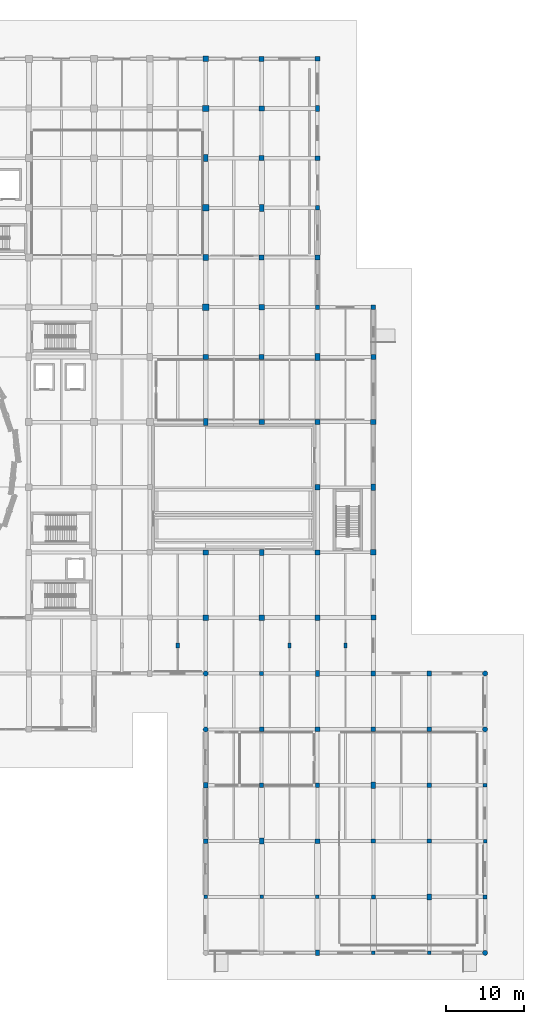
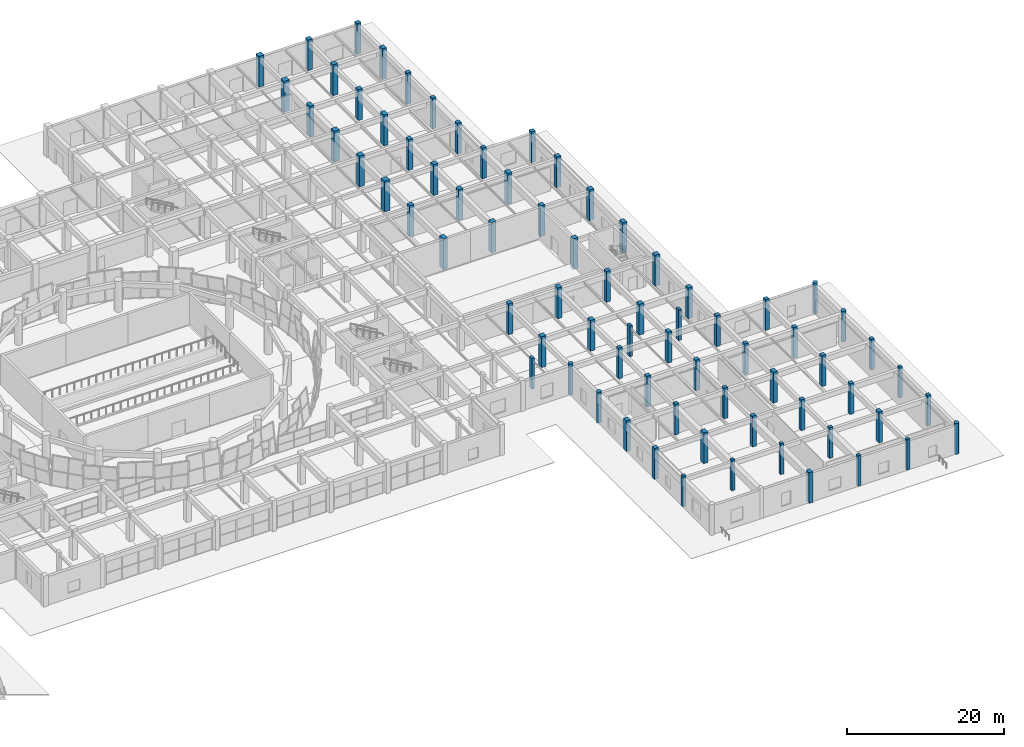
# One storey, part 3 of 72: 74 columns.
"""IFC4 building model written with IfcOpenShell, lengths in metres."""

from ifc_helpers import new_model, si_unit, direction, frame, origin, origin_2d, place, context, subcontext, project, spatial, rectangle, circle, extrude, material, material_profile, profile_set, type_object, element, save


model = new_model("IFC4")

# Units and contexts
model_context = context("Model", 3, precision=1e-05, world=origin(), true_north=direction((0.0, 1.0)))
body_context = subcontext(model_context, "Body", "Model", "MODEL_VIEW")
ifc_project = project(units=[si_unit("LENGTHUNIT", "METRE"), si_unit("AREAUNIT", "SQUARE_METRE"), si_unit("VOLUMEUNIT", "CUBIC_METRE"), si_unit("PLANEANGLEUNIT", "RADIAN"), si_unit("MASSUNIT", "GRAM", prefix="KILO")], contexts=[model_context])

# Site, building, storey
site_placement = place(None, origin())
site = spatial("IfcSite", under=ifc_project, at=site_placement, CompositionType="ELEMENT")
building_placement = place(site_placement, origin())
building = spatial("IfcBuilding", under=site, at=building_placement, Name="Korsvaeld Concert Hall", CompositionType="ELEMENT")
storey_placement = place(building_placement, origin())
storey = spatial("IfcBuildingStorey", under=building, at=storey_placement, Name="L00", CompositionType="ELEMENT", Elevation=0.0)

# Columns
ifc_material = material(Name="Concrete C40/50", Category="concrete")
ifc_material_profile_1 = material_profile(ifc_material, circle(Radius=0.324951171875, at=origin_2d()), Name="RC D650")
ifc_profile_set_1 = profile_set([ifc_material_profile_1], Name="Concrete C40/50")
column_type_1 = type_object("IfcColumnType", Name="COL-COLO-D650", PredefinedType="COLUMN", material=ifc_profile_set_1)
for number, where, z_axis, x_axis, name in (
    (1, (132.0, 28.800048828125, 0.0), (0.0, 0.0, 1.0), (1.0, 0.0, 0.0), "Column 18/E L00"),
    (2, (132.0, 36.0, 0.0), (0.0, 0.0, 1.0), (1.0, 0.0, 0.0), "Column 18/F L00"),
    (3, (168.0, 0.0, 0.0), (0.0, 0.0, 1.0), (1.0, 0.0, 0.0), "Column 23/A L00"),
    (4, (168.0, 28.800048828125, 0.0), (0.0, 0.0, 1.0), (1.0, 0.0, 0.0), "Column 23/E L00"),
    (5, (168.0, 36.0, 0.0), (0.0, 0.0, 1.0), (1.0, 0.0, 0.0), "Column 23/F L00"),
):
    element("IfcColumn", number, at=place(storey_placement, frame(where, z_axis=z_axis, x_axis=x_axis)), inside=storey, type_object=column_type_1, Name=name, PredefinedType="COLUMN", context=body_context, shape_type="SweptSolid", body=[
        extrude(circle(Radius=0.324951171875, at=origin_2d()), origin(), (0.0, 0.0, 1.0), 4.800048828125),
    ])
ifc_material_profile_2 = material_profile(ifc_material, rectangle(XDim=0.449951171875, YDim=0.449951171875, at=origin_2d()), Name="RC 450x450")
ifc_profile_set_2 = profile_set([ifc_material_profile_2], Name="Concrete C40/50")
column_type_2 = type_object("IfcColumnType", Name="COL-RC-450x450", PredefinedType="COLUMN", material=ifc_profile_set_2)
for number, where, z_axis, x_axis, name in (
    (6, (132.0, 7.199951171875, 0.0), (0.0, 0.0, 1.0), (1.0, 0.0, 0.0), "Column 18/B L00"),
    (7, (139.199951171875, 7.199951171875, 0.0), (0.0, 0.0, 1.0), (1.0, 0.0, 0.0), "Column 19/B L00"),
    (8, (146.39990234375, 7.199951171875, 0.0), (0.0, 0.0, 1.0), (1.0, 0.0, 0.0), "Column 20/B L00"),
    (9, (153.60009765625, 0.0, 0.0), (0.0, 0.0, 1.0), (1.0, 0.0, 0.0), "Column 21/A L00"),
    (10, (160.800048828125, 0.0, 0.0), (0.0, 0.0, 1.0), (1.0, 0.0, 0.0), "Column 22/A L00"),
    (11, (168.0, 14.39990234375, 0.0), (0.0, 0.0, 1.0), (1.0, 0.0, 0.0), "Column 23/C L00"),
):
    element("IfcColumn", number, at=place(storey_placement, frame(where, z_axis=z_axis, x_axis=x_axis)), inside=storey, type_object=column_type_2, Name=name, PredefinedType="COLUMN", context=body_context, shape_type="SweptSolid", body=[
        extrude(rectangle(XDim=0.449951171875, YDim=0.449951171875, at=origin_2d()), origin(), (0.0, 0.0, 1.0), 4.800048828125),
    ])
ifc_material_profile_3 = material_profile(ifc_material, rectangle(XDim=0.5, YDim=0.5, at=origin_2d()), Name="RC 500x500")
ifc_profile_set_3 = profile_set([ifc_material_profile_3], Name="Concrete C40/50")
column_type_3 = type_object("IfcColumnType", Name="COL-RC-500x500", PredefinedType="COLUMN", material=ifc_profile_set_3)
for number, where, z_axis, x_axis, name in (
    (12, (153.60009765625, 7.199951171875, 0.0), (0.0, 0.0, 1.0), (1.0, 0.0, 0.0), "Column 21/B L00"),
    (13, (168.0, 7.199951171875, 0.0), (0.0, 0.0, 1.0), (1.0, 0.0, 0.0), "Column 23/B L00"),
    (14, (168.0, 21.60009765625, 0.0), (0.0, 0.0, 1.0), (1.0, 0.0, 0.0), "Column 23/D L00"),
):
    element("IfcColumn", number, at=place(storey_placement, frame(where, z_axis=z_axis, x_axis=x_axis)), inside=storey, type_object=column_type_3, Name=name, PredefinedType="COLUMN", context=body_context, shape_type="SweptSolid", body=[
        extrude(rectangle(XDim=0.5, YDim=0.5, at=origin_2d()), origin(), (0.0, 0.0, 1.0), 4.800048828125),
    ])
ifc_material_profile_4 = material_profile(ifc_material, rectangle(XDim=0.550048828125, YDim=0.550048828125, at=origin_2d()), Name="RC 550x550")
ifc_profile_set_4 = profile_set([ifc_material_profile_4], Name="Concrete C40/50")
column_type_4 = type_object("IfcColumnType", Name="COL-RC-550x550", PredefinedType="COLUMN", material=ifc_profile_set_4)
for number, where, z_axis, x_axis, name in (
    (15, (139.199951171875, 21.60009765625, 0.0), (0.0, 0.0, 1.0), (1.0, 0.0, 0.0), "Column 19/D L00"),
    (16, (139.199951171875, 36.0, 0.0), (0.0, 0.0, 1.0), (1.0, 0.0, 0.0), "Column 19/F L00"),
    (17, (146.39990234375, 21.60009765625, 0.0), (0.0, 0.0, 1.0), (1.0, 0.0, 0.0), "Column 20/D L00"),
    (18, (146.39990234375, 83.199951171875, 0.0), (0.0, 0.0, 1.0), (1.0, 0.0, 0.0), "Column 20/M L00"),
    (19, (146.39990234375, 96.0, 0.0), (0.0, 0.0, 1.0), (1.0, 0.0, 0.0), "Column 20/P L00"),
    (20, (153.60009765625, 14.39990234375, 0.0), (0.0, 0.0, 1.0), (1.0, 0.0, 0.0), "Column 21/C L00"),
    (21, (153.60009765625, 28.800048828125, 0.0), (0.0, 0.0, 1.0), (1.0, 0.0, 0.0), "Column 21/E L00"),
    (22, (160.800048828125, 14.39990234375, 0.0), (0.0, 0.0, 1.0), (1.0, 0.0, 0.0), "Column 22/C L00"),
    (23, (160.800048828125, 28.800048828125, 0.0), (0.0, 0.0, 1.0), (1.0, 0.0, 0.0), "Column 22/E L00"),
):
    element("IfcColumn", number, at=place(storey_placement, frame(where, z_axis=z_axis, x_axis=x_axis)), inside=storey, type_object=column_type_4, Name=name, PredefinedType="COLUMN", context=body_context, shape_type="SweptSolid", body=[
        extrude(rectangle(XDim=0.550048828125, YDim=0.550048828125, at=origin_2d()), origin(), (0.0, 0.0, 1.0), 4.800048828125),
    ])
ifc_material_profile_5 = material_profile(ifc_material, rectangle(XDim=0.550048828125, YDim=0.75, at=origin_2d()), Name="RC 550x750")
ifc_profile_set_5 = profile_set([ifc_material_profile_5], Name="Concrete C40/50")
column_type_5 = type_object("IfcColumnType", Name="COL-RC-550x750", PredefinedType="COLUMN", material=ifc_profile_set_5)
for number, where, z_axis, x_axis, name in (
    (24, (132.0, 21.60009765625, 0.0), (0.0, 0.0, 1.0), (1.0, 0.0, 0.0), "Column 18/D L00"),
    (25, (146.39990234375, 0.0, 0.0), (0.0, 0.0, 1.0), (1.0, 0.0, 0.0), "Column 20/A L00"),
    (26, (146.39990234375, 36.0, 0.0), (0.0, 0.0, 1.0), (1.0, 0.0, 0.0), "Column 20/F L00"),
    (27, (146.39990234375, 108.800048828125, 0.0), (0.0, 0.0, 1.0), (1.0, 0.0, 0.0), "Column 20/R L00"),
    (28, (160.800048828125, 7.199951171875, 0.0), (0.0, 0.0, 1.0), (1.0, 0.0, 0.0), "Column 22/B L00"),
):
    element("IfcColumn", number, at=place(storey_placement, frame(where, z_axis=z_axis, x_axis=x_axis)), inside=storey, type_object=column_type_5, Name=name, PredefinedType="COLUMN", context=body_context, shape_type="SweptSolid", body=[
        extrude(rectangle(XDim=0.550048828125, YDim=0.75, at=origin_2d()), origin(), (0.0, 0.0, 1.0), 4.800048828125),
    ])
ifc_material_profile_6 = material_profile(ifc_material, rectangle(XDim=0.60009765625, YDim=0.60009765625, at=origin_2d()), Name="RC 600x600")
ifc_profile_set_6 = profile_set([ifc_material_profile_6], Name="Concrete C40/50")
column_type_6 = type_object("IfcColumnType", Name="COL-RC-600x600", PredefinedType="COLUMN", material=ifc_profile_set_6)
for number, where, z_axis, x_axis, name in (
    (29, (132.0, 14.39990234375, 0.0), (0.0, 0.0, 1.0), (1.0, 0.0, 0.0), "Column 18/C L00"),
    (30, (139.199951171875, 28.800048828125, 0.0), (0.0, 0.0, 1.0), (1.0, 0.0, 0.0), "Column 19/E L00"),
    (31, (146.39990234375, 14.39990234375, 0.0), (0.0, 0.0, 1.0), (1.0, 0.0, 0.0), "Column 20/C L00"),
    (32, (146.39990234375, 28.800048828125, 0.0), (0.0, 0.0, 1.0), (1.0, 0.0, 0.0), "Column 20/E L00"),
    (33, (146.39990234375, 89.60009765625, 0.0), (0.0, 0.0, 1.0), (1.0, 0.0, 0.0), "Column 20/N L00"),
    (34, (146.39990234375, 102.39990234375, 0.0), (0.0, 0.0, 1.0), (1.0, 0.0, 0.0), "Column 20/Q L00"),
    (35, (146.39990234375, 115.199951171875, 0.0), (0.0, 0.0, 1.0), (1.0, 0.0, 0.0), "Column 20/S L00"),
    (36, (153.60009765625, 36.0, 0.0), (0.0, 0.0, 1.0), (1.0, 0.0, 0.0), "Column 21/F L00"),
    (37, (153.60009765625, 83.199951171875, 0.0), (0.0, 0.0, 1.0), (1.0, 0.0, 0.0), "Column 21/M L00"),
    (38, (160.800048828125, 21.60009765625, 0.0), (0.0, 0.0, 1.0), (1.0, 0.0, 0.0), "Column 22/D L00"),
    (39, (160.800048828125, 36.0, 0.0), (0.0, 0.0, 1.0), (1.0, 0.0, 0.0), "Column 22/F L00"),
):
    element("IfcColumn", number, at=place(storey_placement, frame(where, z_axis=z_axis, x_axis=x_axis)), inside=storey, type_object=column_type_6, Name=name, PredefinedType="COLUMN", context=body_context, shape_type="SweptSolid", body=[
        extrude(rectangle(XDim=0.60009765625, YDim=0.60009765625, at=origin_2d()), origin(), (0.0, 0.0, 1.0), 4.800048828125),
    ])
ifc_material_profile_7 = material_profile(ifc_material, rectangle(XDim=0.60009765625, YDim=0.800048828125, at=origin_2d()), Name="RC 600x800")
ifc_profile_set_7 = profile_set([ifc_material_profile_7], Name="Concrete C40/50")
column_type_7 = type_object("IfcColumnType", Name="COL-RC-600x800", PredefinedType="COLUMN", material=ifc_profile_set_7)
for number, where, z_axis, x_axis, name in (
    (40, (139.199951171875, 14.39990234375, 0.0), (0.0, 0.0, 1.0), (1.0, 0.0, 0.0), "Column 19/C L00"),
    (41, (139.199951171875, 51.60009765625, 0.0), (0.0, 0.0, 1.0), (1.0, 0.0, 0.0), "Column 19/H L00"),
    (42, (153.60009765625, 21.60009765625, 0.0), (0.0, 0.0, 1.0), (1.0, 0.0, 0.0), "Column 21/D L00"),
    (43, (153.60009765625, 60.0, 0.0), (0.0, 0.0, 1.0), (1.0, 0.0, 0.0), "Column 21/J L00"),
):
    element("IfcColumn", number, at=place(storey_placement, frame(where, z_axis=z_axis, x_axis=x_axis)), inside=storey, type_object=column_type_7, Name=name, PredefinedType="COLUMN", context=body_context, shape_type="SweptSolid", body=[
        extrude(rectangle(XDim=0.60009765625, YDim=0.800048828125, at=origin_2d()), origin(), (0.0, 0.0, 1.0), 4.800048828125),
    ])
ifc_material_profile_8 = material_profile(ifc_material, rectangle(XDim=0.60009765625, YDim=0.89990234375, at=origin_2d()), Name="RC 600x900")
ifc_profile_set_8 = profile_set([ifc_material_profile_8], Name="Concrete C40/50")
column_type_8 = type_object("IfcColumnType", Name="COL-RC-600x900", PredefinedType="COLUMN", material=ifc_profile_set_8)
for number, where, z_axis, x_axis, name in (
    (44, (132.0, 68.39990234375, 0.0), (0.0, 0.0, 1.0), (1.0, 0.0, 0.0), "Column 18/K L00"),
    (45, (132.0, 102.39990234375, 0.0), (0.0, 0.0, 1.0), (1.0, 0.0, 0.0), "Column 18/Q L00"),
    (46, (139.199951171875, 96.0, 0.0), (0.0, 0.0, 1.0), (1.0, 0.0, 0.0), "Column 19/P L00"),
    (47, (146.39990234375, 76.800048828125, 0.0), (0.0, 0.0, 1.0), (1.0, 0.0, 0.0), "Column 20/L L00"),
):
    element("IfcColumn", number, at=place(storey_placement, frame(where, z_axis=z_axis, x_axis=x_axis)), inside=storey, type_object=column_type_8, Name=name, PredefinedType="COLUMN", context=body_context, shape_type="SweptSolid", body=[
        extrude(rectangle(XDim=0.60009765625, YDim=0.89990234375, at=origin_2d()), origin(), (0.0, 0.0, 1.0), 4.800048828125),
    ])
ifc_material_profile_9 = material_profile(ifc_material, rectangle(XDim=0.64990234375, YDim=0.64990234375, at=origin_2d()), Name="RC 650x650")
ifc_profile_set_9 = profile_set([ifc_material_profile_9], Name="Concrete C40/50")
column_type_9 = type_object("IfcColumnType", Name="COL-RC-650x650", PredefinedType="COLUMN", material=ifc_profile_set_9)
for number, where, z_axis, x_axis, name in (
    (48, (132.0, 51.60009765625, 0.0), (0.0, 0.0, 1.0), (1.0, 0.0, 0.0), "Column 18/H L00"),
    (49, (132.0, 76.800048828125, 0.0), (0.0, 0.0, 1.0), (1.0, 0.0, 0.0), "Column 18/L L00"),
    (50, (139.199951171875, 76.800048828125, 0.0), (0.0, 0.0, 1.0), (1.0, 0.0, 0.0), "Column 19/L L00"),
    (51, (139.199951171875, 89.60009765625, 0.0), (0.0, 0.0, 1.0), (1.0, 0.0, 0.0), "Column 19/N L00"),
    (52, (139.199951171875, 102.39990234375, 0.0), (0.0, 0.0, 1.0), (1.0, 0.0, 0.0), "Column 19/Q L00"),
    (53, (139.199951171875, 115.199951171875, 0.0), (0.0, 0.0, 1.0), (1.0, 0.0, 0.0), "Column 19/S L00"),
    (54, (146.39990234375, 51.60009765625, 0.0), (0.0, 0.0, 1.0), (1.0, 0.0, 0.0), "Column 20/H L00"),
    (55, (146.39990234375, 68.39990234375, 0.0), (0.0, 0.0, 1.0), (1.0, 0.0, 0.0), "Column 20/K L00"),
    (56, (153.60009765625, 43.199951171875, 0.0), (0.0, 0.0, 1.0), (1.0, 0.0, 0.0), "Column 21/G L00"),
    (57, (153.60009765625, 76.800048828125, 0.0), (0.0, 0.0, 1.0), (1.0, 0.0, 0.0), "Column 21/L L00"),
):
    element("IfcColumn", number, at=place(storey_placement, frame(where, z_axis=z_axis, x_axis=x_axis)), inside=storey, type_object=column_type_9, Name=name, PredefinedType="COLUMN", context=body_context, shape_type="SweptSolid", body=[
        extrude(rectangle(XDim=0.64990234375, YDim=0.64990234375, at=origin_2d()), origin(), (0.0, 0.0, 1.0), 4.800048828125),
    ])
ifc_material_profile_10 = material_profile(ifc_material, rectangle(XDim=0.699951171875, YDim=0.699951171875, at=origin_2d()), Name="RC 700x700")
ifc_profile_set_10 = profile_set([ifc_material_profile_10], Name="Concrete C40/50")
column_type_10 = type_object("IfcColumnType", Name="COL-RC-700x700", PredefinedType="COLUMN", material=ifc_profile_set_10)
for number, where, z_axis, x_axis, name in (
    (58, (132.0, 43.199951171875, 0.0), (0.0, 0.0, 1.0), (1.0, 0.0, 0.0), "Column 18/G L00"),
    (59, (139.199951171875, 43.199951171875, 0.0), (0.0, 0.0, 1.0), (1.0, 0.0, 0.0), "Column 19/G L00"),
    (60, (139.199951171875, 68.39990234375, 0.0), (0.0, 0.0, 1.0), (1.0, 0.0, 0.0), "Column 19/K L00"),
    (61, (139.199951171875, 83.199951171875, 0.0), (0.0, 0.0, 1.0), (1.0, 0.0, 0.0), "Column 19/M L00"),
    (62, (139.199951171875, 108.800048828125, 0.0), (0.0, 0.0, 1.0), (1.0, 0.0, 0.0), "Column 19/R L00"),
    (63, (146.39990234375, 43.199951171875, 0.0), (0.0, 0.0, 1.0), (1.0, 0.0, 0.0), "Column 20/G L00"),
    (64, (146.39990234375, 60.0, 0.0), (0.0, 0.0, 1.0), (1.0, 0.0, 0.0), "Column 20/J L00"),
    (65, (153.60009765625, 51.60009765625, 0.0), (0.0, 0.0, 1.0), (1.0, 0.0, 0.0), "Column 21/H L00"),
    (66, (153.60009765625, 68.39990234375, 0.0), (0.0, 0.0, 1.0), (1.0, 0.0, 0.0), "Column 21/K L00"),
):
    element("IfcColumn", number, at=place(storey_placement, frame(where, z_axis=z_axis, x_axis=x_axis)), inside=storey, type_object=column_type_10, Name=name, PredefinedType="COLUMN", context=body_context, shape_type="SweptSolid", body=[
        extrude(rectangle(XDim=0.699951171875, YDim=0.699951171875, at=origin_2d()), origin(), (0.0, 0.0, 1.0), 4.800048828125),
    ])
ifc_material_profile_11 = material_profile(ifc_material, rectangle(XDim=0.75, YDim=0.75, at=origin_2d()), Name="RC 750x750")
ifc_profile_set_11 = profile_set([ifc_material_profile_11], Name="Concrete C40/50")
column_type_11 = type_object("IfcColumnType", Name="COL-RC-750x750", PredefinedType="COLUMN", material=ifc_profile_set_11)
for number, where, z_axis, x_axis, name in (
    (67, (132.0, 89.60009765625, 0.0), (0.0, 0.0, 1.0), (1.0, 0.0, 0.0), "Column 18/N L00"),
    (68, (132.0, 115.199951171875, 0.0), (0.0, 0.0, 1.0), (1.0, 0.0, 0.0), "Column 18/S L00"),
):
    element("IfcColumn", number, at=place(storey_placement, frame(where, z_axis=z_axis, x_axis=x_axis)), inside=storey, type_object=column_type_11, Name=name, PredefinedType="COLUMN", context=body_context, shape_type="SweptSolid", body=[
        extrude(rectangle(XDim=0.75, YDim=0.75, at=origin_2d()), origin(), (0.0, 0.0, 1.0), 4.800048828125),
    ])
ifc_material_profile_12 = material_profile(ifc_material, rectangle(XDim=0.800048828125, YDim=0.800048828125, at=origin_2d()), Name="RC 800x800")
ifc_profile_set_12 = profile_set([ifc_material_profile_12], Name="Concrete C40/50")
column_type_12 = type_object("IfcColumnType", Name="COL-RC-800x800", PredefinedType="COLUMN", material=ifc_profile_set_12)
for number, where, z_axis, x_axis, name in (
    (69, (132.0, 83.199951171875, 0.0), (0.0, 0.0, 1.0), (1.0, 0.0, 0.0), "Column 18/M L00"),
    (70, (132.0, 96.0, 0.0), (0.0, 0.0, 1.0), (1.0, 0.0, 0.0), "Column 18/P L00"),
    (71, (132.0, 108.800048828125, 0.0), (0.0, 0.0, 1.0), (1.0, 0.0, 0.0), "Column 18/R L00"),
):
    element("IfcColumn", number, at=place(storey_placement, frame(where, z_axis=z_axis, x_axis=x_axis)), inside=storey, type_object=column_type_12, Name=name, PredefinedType="COLUMN", context=body_context, shape_type="SweptSolid", body=[
        extrude(rectangle(XDim=0.800048828125, YDim=0.800048828125, at=origin_2d()), origin(), (0.0, 0.0, 1.0), 4.800048828125),
    ])
ifc_material_profile_13 = material_profile(ifc_material, rectangle(XDim=0.39990234375, YDim=0.64990234375, at=origin_2d()), Name="RC 400x650")
ifc_profile_set_13 = profile_set([ifc_material_profile_13], Name="Concrete C40/50")
column_type_13 = type_object("IfcColumnType", Name="PIL-RC-400x650", PredefinedType="PILASTER", material=ifc_profile_set_13)
for number, where, z_axis, x_axis, name in (
    (72, (128.39990234375, 39.60009765625, 0.0), (0.0, 0.0, 1.0), (1.0, 0.0, 0.0), "Colonnade pilaster PL-06 L00"),
    (73, (142.800048828125, 39.60009765625, 0.0), (0.0, 0.0, 1.0), (1.0, 0.0, 0.0), "Colonnade pilaster PL-09 L00"),
    (74, (150.0, 39.60009765625, 0.0), (0.0, 0.0, 1.0), (1.0, 0.0, 0.0), "Colonnade pilaster PL-10 L00"),
):
    element("IfcColumn", number, at=place(storey_placement, frame(where, z_axis=z_axis, x_axis=x_axis)), inside=storey, type_object=column_type_13, Name=name, PredefinedType="PILASTER", context=body_context, shape_type="SweptSolid", body=[
        extrude(rectangle(XDim=0.39990234375, YDim=0.64990234375, at=origin_2d()), origin(), (0.0, 0.0, 1.0), 4.800048828125),
    ])

save(model, "model.ifc")
